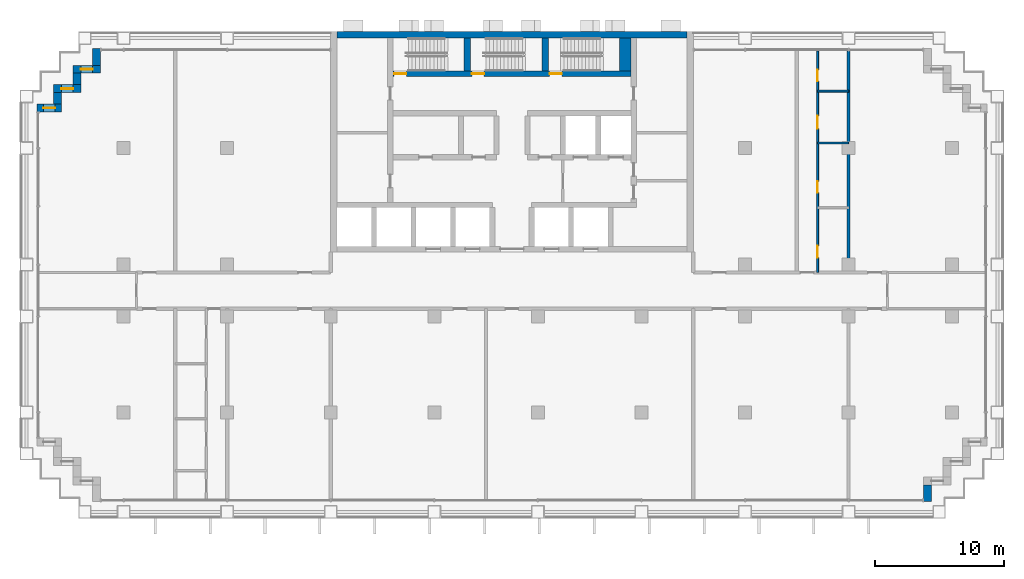
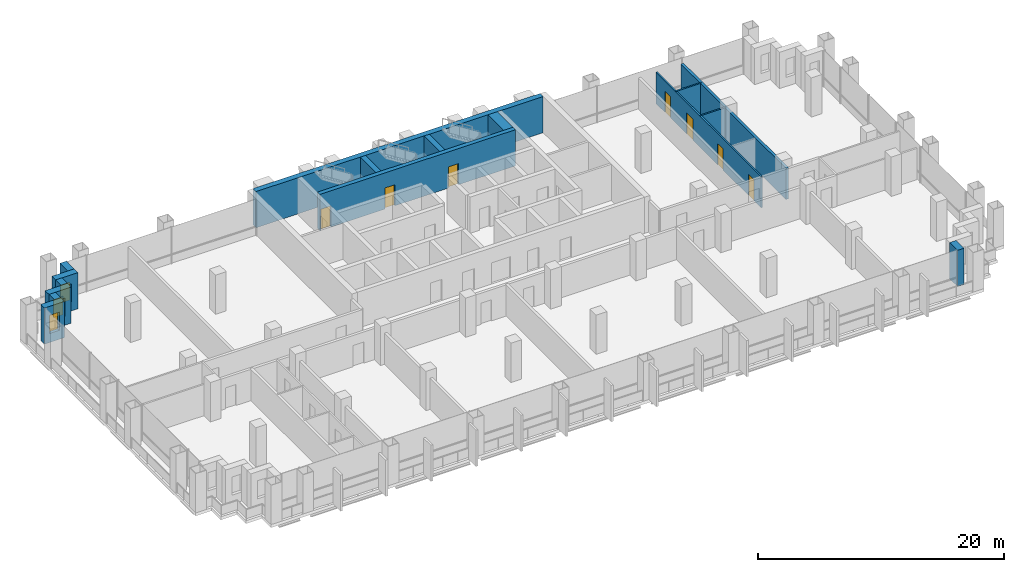
# One storey, part 9 of 13: 16 walls, 7 doors, 3 windows, 10 openings.
"""IFC4 building model written with IfcOpenShell, lengths in metres."""

from ifc_helpers import new_model, si_unit, direction, frame, frame_2d, origin, place, context, subcontext, project, spatial, rectangle, extrude, material, layer, layer_set, type_object, element, fill, save


model = new_model("IFC4")

# Units and contexts
model_context = context("Model", 3, precision=1e-05, world=origin(), true_north=direction((0.0, 1.0)))
body_context = subcontext(model_context, "Body", "Model", "MODEL_VIEW")
ifc_project = project(units=[si_unit("LENGTHUNIT", "METRE"), si_unit("AREAUNIT", "SQUARE_METRE"), si_unit("VOLUMEUNIT", "CUBIC_METRE"), si_unit("PLANEANGLEUNIT", "RADIAN"), si_unit("MASSUNIT", "GRAM", prefix="KILO")], contexts=[model_context])

# Site, building, storey
site_placement = place(None, origin())
site = spatial("IfcSite", under=ifc_project, at=site_placement, CompositionType="ELEMENT")
building_placement = place(site_placement, origin())
building = spatial("IfcBuilding", under=site, at=building_placement, Name="Vidyagriha Tower", CompositionType="ELEMENT")
storey_placement = place(building_placement, frame((0.0, 0.0, 33.800048828125)))
storey = spatial("IfcBuildingStorey", under=building, at=storey_placement, Name="L08", CompositionType="ELEMENT", Elevation=33.800048828125)

# Wall
ifc_material_1 = material(Name="Precast concrete C40/50 with brick facing", Category="concrete")
ifc_layer_1 = layer(ifc_material_1, 0.60009765625)
ifc_layer_set_1 = layer_set([ifc_layer_1], Name="Precast concrete C40/50 with brick facing")
wall_type_1 = type_object("IfcWallType", Name="Brick-faced precast wall 600", PredefinedType="STANDARD", material=ifc_layer_set_1)
wall_1_placement = place(storey_placement, frame((-32.10009765625, 18.679931640625, 0.0), z_axis=(0.0, 0.0, 1.0), x_axis=(0.0, -1.0, 0.0)))
element("IfcWall", 1, at=wall_1_placement, inside=storey, type_object=wall_type_1, Name="Stepped corner wall L08 R10", PredefinedType="STANDARD", context=body_context, shape_type="SweptSolid", body=[
    extrude(rectangle(XDim=1.280029296875, YDim=0.60009765625, at=frame_2d((0.64013671875, 0.0))), origin(), (0.0, 0.0, 1.0), 3.599853515625),
])

# Wall, opening, window
wall_2_placement = place(storey_placement, frame((-31.800048828125, 17.10009765625, 0.0), z_axis=(0.0, 0.0, 1.0), x_axis=(-1.0, 0.0, 0.0)))
wall_2 = element("IfcWall", 2, at=wall_2_placement, inside=storey, type_object=wall_type_1, Name="Stepped corner wall L08 R11", PredefinedType="STANDARD", context=body_context, shape_type="SweptSolid", body=[
    extrude(rectangle(XDim=2.099853515625, YDim=0.60009765625, at=frame_2d((1.0498046875, 0.0))), origin(), (0.0, 0.0, 1.0), 3.599853515625),
])
opening_1_placement = place(wall_2_placement, frame((0.60009765625, 0.0, 0.89990234375)))
opening_1 = element("IfcOpeningElement", 3, at=opening_1_placement, cuts=wall_2, Name="Opening WN2", PredefinedType="OPENING", context=body_context, shape_type="SweptSolid", body=[
    extrude(rectangle(XDim=0.89990234375, YDim=1.800048828125, at=frame_2d((0.449951171875, 0.89990234375))), frame((0.0, 0.31005859375, 0.0), z_axis=(0.0, -1.0, 0.0), x_axis=(1.0, 0.0, 0.0)), (0.0, 0.0, 1.0), 0.6201171875),
])
ifc_material_2 = material(Name="Aluminium and glass window", Category="aluminium")
window_type = type_object("IfcWindowType", Name="Reveal window 900x1800", PartitioningType="NOTDEFINED", PredefinedType="WINDOW", material=ifc_material_2)
window_1_placement = place(opening_1_placement, origin())
window_1 = element("IfcWindow", 4, at=window_1_placement, inside=storey, type_object=window_type, Name="Reveal window L08 R11", OverallHeight=1.800048828125, OverallWidth=0.89990234375, PartitioningType="SINGLE_PANEL", PredefinedType="WINDOW", context=body_context, shape_type="SweptSolid", body=[
    extrude(rectangle(XDim=0.89990234375, YDim=1.800048828125, at=frame_2d((0.449951171875, 0.89990234375))), frame((0.0, 0.030029296875, 0.0), z_axis=(0.0, -1.0, 0.0), x_axis=(1.0, 0.0, 0.0)), (0.0, 0.0, 1.0), 0.06005859375),
])
fill(opening_1, window_1)

# Wall
wall_3_placement = place(storey_placement, frame((-33.60009765625, 16.800048828125, 0.0), z_axis=(0.0, 0.0, 1.0), x_axis=(0.0, -1.0, 0.0)))
element("IfcWall", 5, at=wall_3_placement, inside=storey, type_object=wall_type_1, Name="Stepped corner wall L08 R12", PredefinedType="STANDARD", context=body_context, shape_type="SweptSolid", body=[
    extrude(rectangle(XDim=0.900146484375, YDim=0.60009765625, at=frame_2d((0.4501953125, 0.0))), origin(), (0.0, 0.0, 1.0), 3.599853515625),
])

# Wall, opening, window
wall_4_placement = place(storey_placement, frame((-33.300048828125, 15.60009765625, 0.0), z_axis=(0.0, 0.0, 1.0), x_axis=(-1.0, 0.0, 0.0)))
wall_4 = element("IfcWall", 6, at=wall_4_placement, inside=storey, type_object=wall_type_1, Name="Stepped corner wall L08 R13", PredefinedType="STANDARD", context=body_context, shape_type="SweptSolid", body=[
    extrude(rectangle(XDim=2.099853515625, YDim=0.60009765625, at=frame_2d((1.0498046875, 0.0))), origin(), (0.0, 0.0, 1.0), 3.599853515625),
])
opening_2_placement = place(wall_4_placement, frame((0.60009765625, 0.0, 0.89990234375)))
opening_2 = element("IfcOpeningElement", 7, at=opening_2_placement, cuts=wall_4, Name="Opening WN2", PredefinedType="OPENING", context=body_context, shape_type="SweptSolid", body=[
    extrude(rectangle(XDim=0.89990234375, YDim=1.800048828125, at=frame_2d((0.449951171875, 0.89990234375))), frame((0.0, 0.31005859375, 0.0), z_axis=(0.0, -1.0, 0.0), x_axis=(1.0, 0.0, 0.0)), (0.0, 0.0, 1.0), 0.6201171875),
])
window_2_placement = place(opening_2_placement, origin())
window_2 = element("IfcWindow", 8, at=window_2_placement, inside=storey, type_object=window_type, Name="Reveal window L08 R13", OverallHeight=1.800048828125, OverallWidth=0.89990234375, PartitioningType="SINGLE_PANEL", PredefinedType="WINDOW", context=body_context, shape_type="SweptSolid", body=[
    extrude(rectangle(XDim=0.89990234375, YDim=1.800048828125, at=frame_2d((0.449951171875, 0.89990234375))), frame((0.0, 0.030029296875, 0.0), z_axis=(0.0, -1.0, 0.0), x_axis=(1.0, 0.0, 0.0)), (0.0, 0.0, 1.0), 0.06005859375),
])
fill(opening_2, window_2)

# Wall
wall_5_placement = place(storey_placement, frame((-35.10009765625, 15.300048828125, 0.0), z_axis=(0.0, 0.0, 1.0), x_axis=(0.0, -1.0, 0.0)))
element("IfcWall", 9, at=wall_5_placement, inside=storey, type_object=wall_type_1, Name="Stepped corner wall L08 R14", PredefinedType="STANDARD", context=body_context, shape_type="SweptSolid", body=[
    extrude(rectangle(XDim=0.900146484375, YDim=0.60009765625, at=frame_2d((0.4501953125, 0.0))), origin(), (0.0, 0.0, 1.0), 3.599853515625),
])

# Wall, opening, window
wall_6_placement = place(storey_placement, frame((-34.800048828125, 14.10009765625, 0.0), z_axis=(0.0, 0.0, 1.0), x_axis=(-1.0, 0.0, 0.0)))
wall_6 = element("IfcWall", 10, at=wall_6_placement, inside=storey, type_object=wall_type_1, Name="Stepped corner wall L08 R15", PredefinedType="STANDARD", context=body_context, shape_type="SweptSolid", body=[
    extrude(rectangle(XDim=1.8798828125, YDim=0.60009765625, at=frame_2d((0.93994140625, 0.0))), origin(), (0.0, 0.0, 1.0), 3.599853515625),
])
opening_3_placement = place(wall_6_placement, frame((0.489990234375, 0.0, 0.89990234375)))
opening_3 = element("IfcOpeningElement", 11, at=opening_3_placement, cuts=wall_6, Name="Opening WN2", PredefinedType="OPENING", context=body_context, shape_type="SweptSolid", body=[
    extrude(rectangle(XDim=0.89990234375, YDim=1.800048828125, at=frame_2d((0.449951171875, 0.89990234375))), frame((0.0, 0.31005859375, 0.0), z_axis=(0.0, -1.0, 0.0), x_axis=(1.0, 0.0, 0.0)), (0.0, 0.0, 1.0), 0.6201171875),
])
window_3_placement = place(opening_3_placement, origin())
window_3 = element("IfcWindow", 12, at=window_3_placement, inside=storey, type_object=window_type, Name="Reveal window L08 R15", OverallHeight=1.800048828125, OverallWidth=0.89990234375, PartitioningType="SINGLE_PANEL", PredefinedType="WINDOW", context=body_context, shape_type="SweptSolid", body=[
    extrude(rectangle(XDim=0.89990234375, YDim=1.800048828125, at=frame_2d((0.449951171875, 0.89990234375))), frame((0.0, 0.030029296875, 0.0), z_axis=(0.0, -1.0, 0.0), x_axis=(1.0, 0.0, 0.0)), (0.0, 0.0, 1.0), 0.06005859375),
])
fill(opening_3, window_3)

# Wall
wall_7_placement = place(storey_placement, frame((32.10009765625, -16.280029296875, 0.0), z_axis=(0.0, 0.0, 1.0), x_axis=(0.0, 1.0, 0.0)))
element("IfcWall", 13, at=wall_7_placement, inside=storey, type_object=wall_type_1, Name="Stepped corner wall L08 R24", PredefinedType="STANDARD", context=body_context, shape_type="SweptSolid", body=[
    extrude(rectangle(XDim=1.280029296875, YDim=0.60009765625, at=frame_2d((0.64013671875, 0.0))), origin(), (0.0, 0.0, 1.0), 3.599853515625),
])

# Wall, openings, doors
ifc_material_3 = material(Name="Concrete C60/75", Category="concrete")
ifc_layer_2 = layer(ifc_material_3, 0.39990234375)
ifc_layer_set_2 = layer_set([ifc_layer_2], Name="Concrete C60/75")
wall_type_2 = type_object("IfcWallType", Name="Core shear wall 400 mm", PredefinedType="SHEAR", material=ifc_layer_set_2)
wall_8_placement = place(storey_placement, frame((-9.199951171875, 16.75, 0.0)))
wall_8 = element("IfcWall", 14, at=wall_8_placement, inside=storey, type_object=wall_type_2, Name="Stair front wall", PredefinedType="SHEAR", context=body_context, shape_type="SweptSolid", body=[
    extrude(rectangle(XDim=18.39990234375, YDim=0.39990234375, at=frame_2d((9.199951171875, 0.0))), origin(), (0.0, 0.0, 1.0), 3.599853515625),
])
opening_4_placement = place(wall_8_placement, frame((0.10009765625, 0.0, 0.0)))
opening_4 = element("IfcOpeningElement", 15, at=opening_4_placement, cuts=wall_8, Name="Opening D08-06", PredefinedType="OPENING", context=body_context, shape_type="SweptSolid", body=[
    extrude(rectangle(XDim=0.949951171875, YDim=2.10009765625, at=frame_2d((0.47509765625, 1.050048828125))), frame((0.0, 0.2099609375, 0.0), z_axis=(0.0, -1.0, 0.0), x_axis=(1.0, 0.0, 0.0)), (0.0, 0.0, 1.0), 0.419921875),
])
opening_5_placement = place(wall_8_placement, frame((6.10009765625, 0.0, 0.0)))
opening_5 = element("IfcOpeningElement", 16, at=opening_5_placement, cuts=wall_8, Name="Opening D08-07", PredefinedType="OPENING", context=body_context, shape_type="SweptSolid", body=[
    extrude(rectangle(XDim=0.949951171875, YDim=2.10009765625, at=frame_2d((0.47509765625, 1.050048828125))), frame((0.0, 0.2099609375, 0.0), z_axis=(0.0, -1.0, 0.0), x_axis=(1.0, 0.0, 0.0)), (0.0, 0.0, 1.0), 0.419921875),
])
opening_6_placement = place(wall_8_placement, frame((12.10009765625, 0.0, 0.0)))
opening_6 = element("IfcOpeningElement", 17, at=opening_6_placement, cuts=wall_8, Name="Opening D08-08", PredefinedType="OPENING", context=body_context, shape_type="SweptSolid", body=[
    extrude(rectangle(XDim=0.949951171875, YDim=2.10009765625, at=frame_2d((0.47509765625, 1.050048828125))), frame((0.0, 0.2099609375, 0.0), z_axis=(0.0, -1.0, 0.0), x_axis=(1.0, 0.0, 0.0)), (0.0, 0.0, 1.0), 0.419921875),
])
ifc_material_4 = material(Name="Hollow metal door leaf")
door_type_1 = type_object("IfcDoorType", Name="Exit stair door 950 x 2100 mm EI 90", OperationType="NOTDEFINED", PredefinedType="DOOR", material=ifc_material_4)
door_1_placement = place(opening_4_placement, origin())
door_1 = element("IfcDoor", 18, at=door_1_placement, inside=storey, type_object=door_type_1, Name="Stair door ST1 L08", OperationType="SINGLE_SWING_LEFT", OverallHeight=2.10009765625, OverallWidth=0.949951171875, PredefinedType="DOOR", context=body_context, shape_type="SweptSolid", body=[
    extrude(rectangle(XDim=0.949951171875, YDim=2.10009765625, at=frame_2d((0.47509765625, 1.050048828125))), frame((0.0, 0.02490234375, 0.0), z_axis=(0.0, -1.0, 0.0), x_axis=(1.0, 0.0, 0.0)), (0.0, 0.0, 1.0), 0.050048828125),
])
fill(opening_4, door_1)
door_2_placement = place(opening_5_placement, origin())
door_2 = element("IfcDoor", 19, at=door_2_placement, inside=storey, type_object=door_type_1, Name="Stair door ST2 L08", OperationType="SINGLE_SWING_LEFT", OverallHeight=2.10009765625, OverallWidth=0.949951171875, PredefinedType="DOOR", context=body_context, shape_type="SweptSolid", body=[
    extrude(rectangle(XDim=0.949951171875, YDim=2.10009765625, at=frame_2d((0.47509765625, 1.050048828125))), frame((0.0, 0.02490234375, 0.0), z_axis=(0.0, -1.0, 0.0), x_axis=(1.0, 0.0, 0.0)), (0.0, 0.0, 1.0), 0.050048828125),
])
fill(opening_5, door_2)
door_3_placement = place(opening_6_placement, origin())
door_3 = element("IfcDoor", 20, at=door_3_placement, inside=storey, type_object=door_type_1, Name="Stair door ST3 L08", OperationType="SINGLE_SWING_LEFT", OverallHeight=2.10009765625, OverallWidth=0.949951171875, PredefinedType="DOOR", context=body_context, shape_type="SweptSolid", body=[
    extrude(rectangle(XDim=0.949951171875, YDim=2.10009765625, at=frame_2d((0.47509765625, 1.050048828125))), frame((0.0, 0.02490234375, 0.0), z_axis=(0.0, -1.0, 0.0), x_axis=(1.0, 0.0, 0.0)), (0.0, 0.0, 1.0), 0.050048828125),
])
fill(opening_6, door_3)

# Walls
ifc_material_5 = material(Name="Concrete C60/75", Category="concrete")
ifc_layer_3 = layer(ifc_material_5, 0.5)
ifc_layer_set_3 = layer_set([ifc_layer_3], Name="Concrete C60/75")
wall_type_3 = type_object("IfcWallType", Name="Core shear wall 500 mm", PredefinedType="SHEAR", material=ifc_layer_set_3)
wall_9_placement = place(storey_placement, frame((-13.5, 19.75, 0.0)))
element("IfcWall", 21, at=wall_9_placement, inside=storey, type_object=wall_type_3, Name="Core north wall", PredefinedType="SHEAR", context=body_context, shape_type="SweptSolid", body=[
    extrude(rectangle(XDim=27.0, YDim=0.5, at=frame_2d((13.5, 0.0))), origin(), (0.0, 0.0, 1.0), 3.599853515625),
])
for number, where, z_axis, x_axis, name in (
    (22, (-3.449951171875, 16.949951171875, 0.0), (0.0, 0.0, 1.0), (0.0, 1.0, 0.0), "Stair partition wall 1"),
    (23, (2.550048828125, 16.949951171875, 0.0), (0.0, 0.0, 1.0), (0.0, 1.0, 0.0), "Stair partition wall 2"),
):
    element("IfcWall", number, at=place(storey_placement, frame(where, z_axis=z_axis, x_axis=x_axis)), inside=storey, type_object=wall_type_3, Name=name, PredefinedType="SHEAR", context=body_context, shape_type="SweptSolid", body=[
        extrude(rectangle(XDim=2.550048828125, YDim=0.5, at=frame_2d((1.27490234375, 0.0))), origin(), (0.0, 0.0, 1.0), 3.599853515625),
    ])
ifc_material_6 = material(Name="Concrete C60/75", Category="concrete")
ifc_layer_4 = layer(ifc_material_6, 0.89990234375)
ifc_layer_set_4 = layer_set([ifc_layer_4], Name="Concrete C60/75")
wall_type_4 = type_object("IfcWallType", Name="Core shear wall 900 mm", PredefinedType="SHEAR", material=ifc_layer_set_4)
wall_10_placement = place(storey_placement, frame((8.75, 16.949951171875, 0.0), z_axis=(0.0, 0.0, 1.0), x_axis=(0.0, 1.0, 0.0)))
element("IfcWall", 24, at=wall_10_placement, inside=storey, type_object=wall_type_4, Name="Stair end wall", PredefinedType="SHEAR", context=body_context, shape_type="SweptSolid", body=[
    extrude(rectangle(XDim=2.550048828125, YDim=0.89990234375, at=frame_2d((1.27490234375, 0.0))), origin(), (0.0, 0.0, 1.0), 3.599853515625),
])
ifc_material_7 = material(Name="Fired clay brick masonry", Category="masonry")
ifc_layer_5 = layer(ifc_material_7, 0.25)
ifc_layer_set_5 = layer_set([ifc_layer_5], Name="Fired clay brick masonry")
wall_type_5 = type_object("IfcWallType", Name="Fired clay brick demising wall 250", PredefinedType="PARTITIONING", material=ifc_layer_set_5)
wall_11_placement = place(storey_placement, frame((26.0, 18.52099609375, 0.0), z_axis=(0.0, 0.0, 1.0), x_axis=(0.0, -1.0, 0.0)))
element("IfcWall", 25, at=wall_11_placement, inside=storey, type_object=wall_type_5, Name="Wall all-L08-w046", PredefinedType="PARTITIONING", context=body_context, shape_type="SweptSolid", body=[
    extrude(rectangle(XDim=17.12109375, YDim=0.25, at=frame_2d((8.560546875, 0.0))), origin(), (0.0, 0.0, 1.0), 3.099853515625),
])
ifc_material_8 = material(Name="Gypsum board partition")
ifc_layer_6 = layer(ifc_material_8, 0.14990234375)
ifc_layer_set_6 = layer_set([ifc_layer_6], Name="Gypsum board partition")
wall_type_6 = type_object("IfcWallType", Name="Gypsum board partition 150", PredefinedType="PARTITIONING", material=ifc_layer_set_6)
for number, where, name in (
    (26, (23.60009765625, 11.39990234375, 0.0), "Wall all-L08-w039"),
    (27, (23.60009765625, 15.39990234375, 0.0), "Wall all-L08-w041"),
):
    element("IfcWall", number, at=place(storey_placement, frame(where)), inside=storey, type_object=wall_type_6, Name=name, PredefinedType="PARTITIONING", context=body_context, shape_type="SweptSolid", body=[
        extrude(rectangle(XDim=2.39990234375, YDim=0.14990234375, at=frame_2d((1.199951171875, 0.0))), origin(), (0.0, 0.0, 1.0), 3.099853515625),
    ])

# Wall, openings, doors
ifc_material_9 = material(Name="Moisture resistant gypsum board partition")
ifc_layer_7 = layer(ifc_material_9, 0.14990234375)
ifc_layer_set_7 = layer_set([ifc_layer_7], Name="Moisture resistant gypsum board partition")
wall_type_7 = type_object("IfcWallType", Name="Gypsum board wet-area partition 150", PredefinedType="PARTITIONING", material=ifc_layer_set_7)
wall_12_placement = place(storey_placement, frame((23.60009765625, 18.52099609375, 0.0), z_axis=(0.0, 0.0, 1.0), x_axis=(0.0, -1.0, 0.0)))
wall_12 = element("IfcWall", 28, at=wall_12_placement, inside=storey, type_object=wall_type_7, Name="Wall all-L08-w035", PredefinedType="PARTITIONING", context=body_context, shape_type="SweptSolid", body=[
    extrude(rectangle(XDim=17.12109375, YDim=0.14990234375, at=frame_2d((8.560546875, 0.0))), origin(), (0.0, 0.0, 1.0), 3.099853515625),
])
opening_7_placement = place(wall_12_placement, frame((15.071044921875, 0.0, 0.0)))
opening_7 = element("IfcOpeningElement", 29, at=opening_7_placement, cuts=wall_12, Name="Opening D08-28", PredefinedType="OPENING", context=body_context, shape_type="SweptSolid", body=[
    extrude(rectangle(XDim=0.89990234375, YDim=2.10009765625, at=frame_2d((0.449951171875, 1.050048828125))), frame((0.0, 0.0849609375, 0.0), z_axis=(0.0, -1.0, 0.0), x_axis=(1.0, 0.0, 0.0)), (0.0, 0.0, 1.0), 0.169921875),
])
opening_8_placement = place(wall_12_placement, frame((10.071044921875, 0.0, 0.0)))
opening_8 = element("IfcOpeningElement", 30, at=opening_8_placement, cuts=wall_12, Name="Opening D08-29", PredefinedType="OPENING", context=body_context, shape_type="SweptSolid", body=[
    extrude(rectangle(XDim=0.89990234375, YDim=2.10009765625, at=frame_2d((0.449951171875, 1.050048828125))), frame((0.0, 0.0849609375, 0.0), z_axis=(0.0, -1.0, 0.0), x_axis=(1.0, 0.0, 0.0)), (0.0, 0.0, 1.0), 0.169921875),
])
opening_9_placement = place(wall_12_placement, frame((5.02099609375, 0.0, 0.0)))
opening_9 = element("IfcOpeningElement", 31, at=opening_9_placement, cuts=wall_12, Name="Opening D08-30", PredefinedType="OPENING", context=body_context, shape_type="SweptSolid", body=[
    extrude(rectangle(XDim=1.0, YDim=2.10009765625, at=frame_2d((0.5, 1.050048828125))), frame((0.0, 0.0849609375, 0.0), z_axis=(0.0, -1.0, 0.0), x_axis=(1.0, 0.0, 0.0)), (0.0, 0.0, 1.0), 0.169921875),
])
opening_10_placement = place(wall_12_placement, frame((1.470947265625, 0.0, 0.0)))
opening_10 = element("IfcOpeningElement", 32, at=opening_10_placement, cuts=wall_12, Name="Opening D08-31", PredefinedType="OPENING", context=body_context, shape_type="SweptSolid", body=[
    extrude(rectangle(XDim=0.89990234375, YDim=2.10009765625, at=frame_2d((0.449951171875, 1.050048828125))), frame((0.0, 0.0849609375, 0.0), z_axis=(0.0, -1.0, 0.0), x_axis=(1.0, 0.0, 0.0)), (0.0, 0.0, 1.0), 0.169921875),
])
ifc_material_10 = material(Name="Timber door leaf", Category="wood")
door_type_2 = type_object("IfcDoorType", Name="Bathroom door 1000x2100", OperationType="NOTDEFINED", PredefinedType="DOOR", material=ifc_material_10)
door_4_placement = place(opening_9_placement, origin())
door_4 = element("IfcDoor", 33, at=door_4_placement, inside=storey, type_object=door_type_2, Name="Door D08-30", OperationType="SINGLE_SWING_RIGHT", OverallHeight=2.10009765625, OverallWidth=1.0, PredefinedType="DOOR", context=body_context, shape_type="SweptSolid", body=[
    extrude(rectangle(XDim=1.0, YDim=2.10009765625, at=frame_2d((0.5, 1.050048828125))), frame((0.0, 0.02490234375, 0.0), z_axis=(0.0, -1.0, 0.0), x_axis=(1.0, 0.0, 0.0)), (0.0, 0.0, 1.0), 0.050048828125),
])
fill(opening_9, door_4)
ifc_material_11 = material(Name="Timber door leaf", Category="wood")
door_type_3 = type_object("IfcDoorType", Name="Bathroom door 900x2100", OperationType="NOTDEFINED", PredefinedType="DOOR", material=ifc_material_11)
door_5_placement = place(opening_7_placement, origin())
door_5 = element("IfcDoor", 34, at=door_5_placement, inside=storey, type_object=door_type_3, Name="Door D08-28", OperationType="SINGLE_SWING_RIGHT", OverallHeight=2.10009765625, OverallWidth=0.89990234375, PredefinedType="DOOR", context=body_context, shape_type="SweptSolid", body=[
    extrude(rectangle(XDim=0.89990234375, YDim=2.10009765625, at=frame_2d((0.449951171875, 1.050048828125))), frame((0.0, 0.02490234375, 0.0), z_axis=(0.0, -1.0, 0.0), x_axis=(1.0, 0.0, 0.0)), (0.0, 0.0, 1.0), 0.050048828125),
])
fill(opening_7, door_5)
door_6_placement = place(opening_8_placement, origin())
door_6 = element("IfcDoor", 35, at=door_6_placement, inside=storey, type_object=door_type_3, Name="Door D08-29", OperationType="SINGLE_SWING_RIGHT", OverallHeight=2.10009765625, OverallWidth=0.89990234375, PredefinedType="DOOR", context=body_context, shape_type="SweptSolid", body=[
    extrude(rectangle(XDim=0.89990234375, YDim=2.10009765625, at=frame_2d((0.449951171875, 1.050048828125))), frame((0.0, 0.02490234375, 0.0), z_axis=(0.0, -1.0, 0.0), x_axis=(1.0, 0.0, 0.0)), (0.0, 0.0, 1.0), 0.050048828125),
])
fill(opening_8, door_6)
door_7_placement = place(opening_10_placement, origin())
door_7 = element("IfcDoor", 36, at=door_7_placement, inside=storey, type_object=door_type_3, Name="Door D08-31", OperationType="SINGLE_SWING_RIGHT", OverallHeight=2.10009765625, OverallWidth=0.89990234375, PredefinedType="DOOR", context=body_context, shape_type="SweptSolid", body=[
    extrude(rectangle(XDim=0.89990234375, YDim=2.10009765625, at=frame_2d((0.449951171875, 1.050048828125))), frame((0.0, 0.02490234375, 0.0), z_axis=(0.0, -1.0, 0.0), x_axis=(1.0, 0.0, 0.0)), (0.0, 0.0, 1.0), 0.050048828125),
])
fill(opening_10, door_7)

save(model, "model.ifc")
